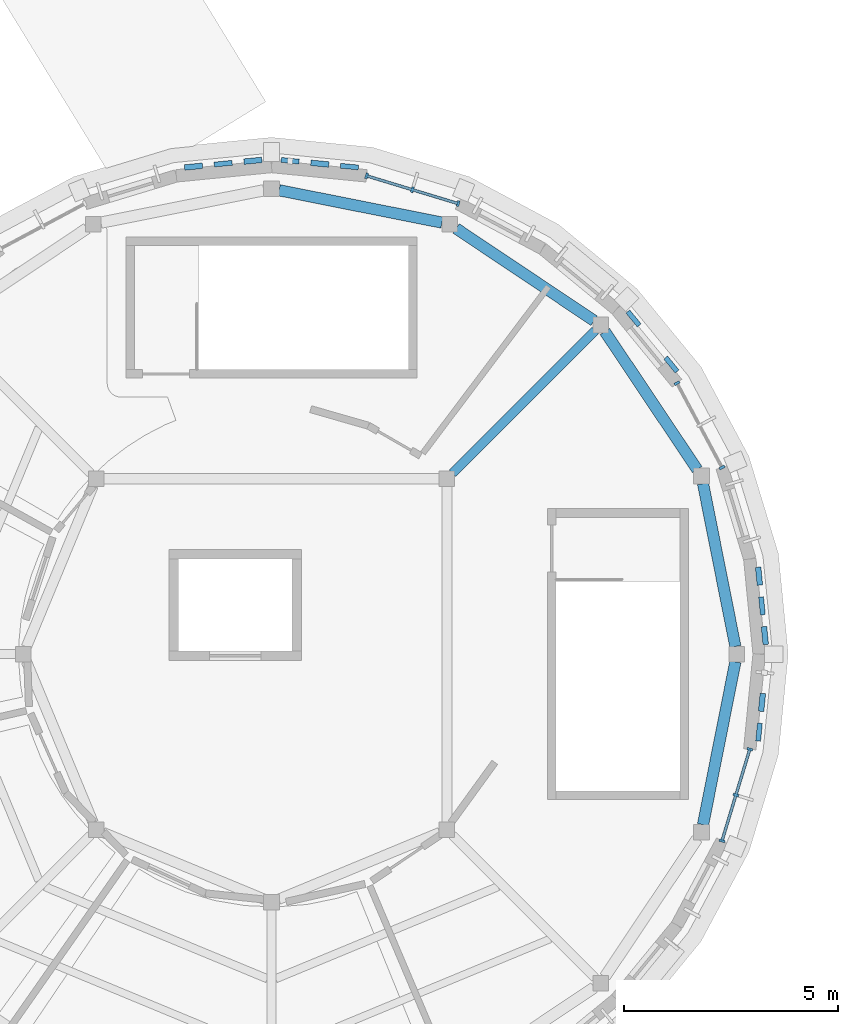
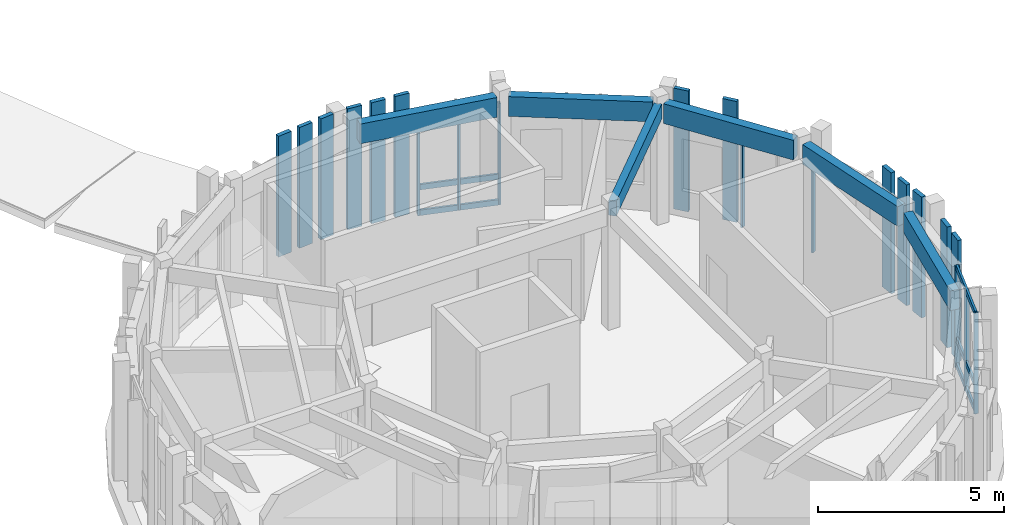
# One storey, part 17 of 58: 27 members, 6 beams, 3 elements without a shape of their own.
"""IFC4 building model written with IfcOpenShell, lengths in metres."""

from ifc_helpers import new_model, si_unit, direction, frame, origin, origin_2d, place, context, subcontext, project, spatial, rectangle, extrude, material, layer, layer_set, material_profile, profile_set, type_object, element, aggregate, save


model = new_model("IFC4")

# Units and contexts
model_context = context("Model", 3, precision=1e-05, world=origin(), true_north=direction((0.0, 1.0)))
body_context = subcontext(model_context, "Body", "Model", "MODEL_VIEW")
ifc_project = project(units=[si_unit("LENGTHUNIT", "METRE"), si_unit("AREAUNIT", "SQUARE_METRE"), si_unit("VOLUMEUNIT", "CUBIC_METRE"), si_unit("PLANEANGLEUNIT", "RADIAN"), si_unit("MASSUNIT", "GRAM", prefix="KILO")], contexts=[model_context])

# Site, building, storey
site_placement = place(None, origin())
site = spatial("IfcSite", under=ifc_project, at=site_placement, CompositionType="ELEMENT")
building_placement = place(site_placement, origin())
building = spatial("IfcBuilding", under=site, at=building_placement, Name="Aldenvaro Health Centre", CompositionType="ELEMENT")
storey_placement = place(building_placement, frame((0.0, 0.0, 8.75)))
storey = spatial("IfcBuildingStorey", under=building, at=storey_placement, Name="L02", CompositionType="ELEMENT", Elevation=8.75)

# Beams
ifc_material_1 = material(Name="Glulam GL28h", Category="wood")
ifc_material_profile_1 = material_profile(ifc_material_1, rectangle(XDim=0.215087890625, YDim=0.493896484375, at=origin_2d()), Name="GL 215x494", Category="wood")
ifc_profile_set_1 = profile_set([ifc_material_profile_1], Name="Glulam GL28h")
beam_type_1 = type_object("IfcBeamType", Name="BM-GL-494", PredefinedType="BEAM", material=ifc_profile_set_1)
beam_1_placement = place(storey_placement, frame((158.72998046875, 22.72998046875, 3.712890625), z_axis=(0.707106781187, 0.707106781187, 0.0), x_axis=(-0.707106781187, 0.707106781187, 0.0)))
element("IfcBeam", 1, at=beam_1_placement, inside=storey, type_object=beam_type_1, Name="D6 L02 radial beam 01", PredefinedType="BEAM", context=body_context, shape_type="SweptSolid", body=[
    extrude(rectangle(XDim=0.215087890625, YDim=0.493896484375, at=origin_2d()), origin(), (0.0, 0.0, 1.0), 4.715087890625),
])
ifc_material_profile_2 = material_profile(ifc_material_1, rectangle(XDim=0.264892578125, YDim=0.64599609375, at=origin_2d()), Name="GL 265x646", Category="wood")
ifc_profile_set_2 = profile_set([ifc_material_profile_2], Name="Glulam GL28h")
beam_type_2 = type_object("IfcBeamType", Name="BM-GL-646", PredefinedType="SPANDREL", material=ifc_profile_set_2)
beam_2_placement = place(storey_placement, frame((165.343994140625, 18.678955078125, 3.636962890625), z_axis=(-0.19484558566, 0.98083392975, 0.0), x_axis=(-0.98083392975, -0.19484558566, 0.0)))
element("IfcBeam", 2, at=beam_2_placement, inside=storey, type_object=beam_type_2, Name="D6 L02 perimeter spandrel 01", PredefinedType="SPANDREL", context=body_context, shape_type="SweptSolid", body=[
    extrude(rectangle(XDim=0.264892578125, YDim=0.64599609375, at=origin_2d()), origin(), (0.0, 0.0, 1.0), 3.880615234375),
])
for number, where, z_axis, x_axis, name in (
    (3, (164.450927734375, 22.81591796875, 3.636962890625), (-0.55593386509, 0.831226526072, 0.0), (-0.831226526072, -0.55593386509, 0.0), "D6 L02 perimeter spandrel 02"),
    (4, (162.041015625, 26.2939453125, 3.636962890625), (-0.831226526072, 0.55593386509, 0.0), (-0.55593386509, -0.831226526072, 0.0), "D6 L02 perimeter spandrel 03"),
):
    element("IfcBeam", number, at=place(storey_placement, frame(where, z_axis=z_axis, x_axis=x_axis)), inside=storey, type_object=beam_type_2, Name=name, PredefinedType="SPANDREL", context=body_context, shape_type="SweptSolid", body=[
        extrude(rectangle(XDim=0.264892578125, YDim=0.64599609375, at=origin_2d()), origin(), (0.0, 0.0, 1.0), 3.8798828125),
    ])
for number, where, z_axis, x_axis, name in (
    (5, (158.485107421875, 28.587890625, 3.636962890625), (-0.98083392975, 0.19484558566, 0.0), (-0.19484558566, -0.98083392975, 0.0), "D6 L02 perimeter spandrel 04"),
    (6, (164.587890625, 14.514892578125, 3.636962890625), (0.19484558566, 0.98083392975, 0.0), (-0.98083392975, 0.19484558566, 0.0), "D6 L02 perimeter spandrel 16"),
):
    element("IfcBeam", number, at=place(storey_placement, frame(where, z_axis=z_axis, x_axis=x_axis)), inside=storey, type_object=beam_type_2, Name=name, PredefinedType="SPANDREL", context=body_context, shape_type="SweptSolid", body=[
        extrude(rectangle(XDim=0.264892578125, YDim=0.64599609375, at=origin_2d()), origin(), (0.0, 0.0, 1.0), 3.880615234375),
    ])

# Curtain wall, members
ifc_material_2 = material(Name="Anodised Aluminium 6063-T6", Category="aluminium")
ifc_layer = layer(ifc_material_2, 0.195068359375, Name="Anodised Aluminium 6063-T6", Category="aluminium")
ifc_layer_set = layer_set([ifc_layer], Name="Anodised Aluminium 6063-T6")
curtain_wall_type = type_object("IfcCurtainWallType", Name="CW-CLN-02", PredefinedType="NOTDEFINED", material=ifc_layer_set)
curtain_wall_1_placement = place(storey_placement, origin())
curtain_wall_1 = element("IfcCurtainWall", 7, at=curtain_wall_1_placement, inside=storey, type_object=curtain_wall_type, Name="D6 L02 curtain wall bay 02", PredefinedType="NOTDEFINED")
ifc_material_profile_3 = material_profile(ifc_material_2, rectangle(XDim=0.06005859375, YDim=0.135009765625, at=origin_2d()), Name="ALU 60x135", Category="aluminium")
ifc_profile_set_3 = profile_set([ifc_material_profile_3], Name="Anodised Aluminium 6063-T6")
member_type_1 = type_object("IfcMemberType", Name="CWM-150", PredefinedType="MULLION", material=ifc_profile_set_3)
member_1_placement = place(storey_placement, frame((165.680908203125, 16.27587890625, 0.0), z_axis=(0.0, 0.0, 1.0), x_axis=(-0.290342622208, -0.956922756407, 0.0)))
member_1 = element("IfcMember", 8, at=member_1_placement, type_object=member_type_1, Name="D6 L02 curtain wall bay 02 mullion 1", PredefinedType="MULLION", context=body_context, shape_type="SweptSolid", body=[
    extrude(rectangle(XDim=0.06005859375, YDim=0.135009765625, at=origin_2d()), origin(), (0.0, 0.0, 1.0), 3.31396484375),
])
member_2_placement = place(storey_placement, frame((165.35693359375, 15.20703125, 0.0), z_axis=(0.0, 0.0, 1.0), x_axis=(-0.290342622208, -0.956922756407, 0.0)))
member_2 = element("IfcMember", 9, at=member_2_placement, type_object=member_type_1, Name="D6 L02 curtain wall bay 02 mullion 2", PredefinedType="MULLION", context=body_context, shape_type="SweptSolid", body=[
    extrude(rectangle(XDim=0.06005859375, YDim=0.135009765625, at=origin_2d()), origin(), (0.0, 0.0, 1.0), 3.31396484375),
])
member_3_placement = place(storey_placement, frame((165.031982421875, 14.136962890625, 0.0), z_axis=(0.0, 0.0, 1.0), x_axis=(-0.290342622208, -0.956922756407, 0.0)))
member_3 = element("IfcMember", 10, at=member_3_placement, type_object=member_type_1, Name="D6 L02 curtain wall bay 02 mullion 3", PredefinedType="MULLION", context=body_context, shape_type="SweptSolid", body=[
    extrude(rectangle(XDim=0.06005859375, YDim=0.135009765625, at=origin_2d()), origin(), (0.0, 0.0, 1.0), 3.31396484375),
])

curtain_wall_2_placement = place(storey_placement, origin())
curtain_wall_2 = element("IfcCurtainWall", 11, at=curtain_wall_2_placement, inside=storey, type_object=curtain_wall_type, Name="D6 L02 curtain wall bay 26", PredefinedType="NOTDEFINED")
member_4_placement = place(storey_placement, frame((156.72412109375, 29.680908203125, 0.0), z_axis=(0.0, 0.0, 1.0), x_axis=(0.956922756407, -0.290342622208, 0.0)))
member_4 = element("IfcMember", 12, at=member_4_placement, type_object=member_type_1, Name="D6 L02 curtain wall bay 26 mullion 1", PredefinedType="MULLION", context=body_context, shape_type="SweptSolid", body=[
    extrude(rectangle(XDim=0.06005859375, YDim=0.135009765625, at=origin_2d()), origin(), (0.0, 0.0, 1.0), 3.31396484375),
])
member_5_placement = place(storey_placement, frame((157.79296875, 29.35693359375, 0.0), z_axis=(0.0, 0.0, 1.0), x_axis=(0.956922756407, -0.290342622208, 0.0)))
member_5 = element("IfcMember", 13, at=member_5_placement, type_object=member_type_1, Name="D6 L02 curtain wall bay 26 mullion 2", PredefinedType="MULLION", context=body_context, shape_type="SweptSolid", body=[
    extrude(rectangle(XDim=0.06005859375, YDim=0.135009765625, at=origin_2d()), origin(), (0.0, 0.0, 1.0), 3.31396484375),
])
member_6_placement = place(storey_placement, frame((158.863037109375, 29.031982421875, 0.0), z_axis=(0.0, 0.0, 1.0), x_axis=(0.956922756407, -0.290342622208, 0.0)))
member_6 = element("IfcMember", 14, at=member_6_placement, type_object=member_type_1, Name="D6 L02 curtain wall bay 26 mullion 3", PredefinedType="MULLION", context=body_context, shape_type="SweptSolid", body=[
    extrude(rectangle(XDim=0.06005859375, YDim=0.135009765625, at=origin_2d()), origin(), (0.0, 0.0, 1.0), 3.31396484375),
])

curtain_wall_3_placement = place(storey_placement, origin())
curtain_wall_3 = element("IfcCurtainWall", 15, at=curtain_wall_3_placement, inside=storey, type_object=curtain_wall_type, Name="D6 L02 curtain wall bay 30", PredefinedType="NOTDEFINED")
member_7_placement = place(storey_placement, frame((163.97900390625, 24.833984375, 0.0), z_axis=(0.0, 0.0, 1.0), x_axis=(0.471215232797, -0.882018256263, 0.0)))
member_7 = element("IfcMember", 16, at=member_7_placement, type_object=member_type_1, Name="D6 L02 curtain wall bay 30 mullion 1", PredefinedType="MULLION", context=body_context, shape_type="SweptSolid", body=[
    extrude(rectangle(XDim=0.06005859375, YDim=0.135009765625, at=origin_2d()), origin(), (0.0, 0.0, 1.0), 3.31396484375),
])
member_8_placement = place(storey_placement, frame((165.031982421875, 22.863037109375, 0.0), z_axis=(0.0, 0.0, 1.0), x_axis=(0.471215232797, -0.882018256263, 0.0)))
member_8 = element("IfcMember", 17, at=member_8_placement, type_object=member_type_1, Name="D6 L02 curtain wall bay 30 mullion 3", PredefinedType="MULLION", context=body_context, shape_type="SweptSolid", body=[
    extrude(rectangle(XDim=0.06005859375, YDim=0.135009765625, at=origin_2d()), origin(), (0.0, 0.0, 1.0), 3.31396484375),
])
aggregate(curtain_wall_3, [member_7, member_8])

# Member
ifc_material_profile_4 = material_profile(ifc_material_2, rectangle(XDim=0.06494140625, YDim=0.179931640625, at=origin_2d()), Name="ALU 65x180", Category="aluminium")
ifc_profile_set_4 = profile_set([ifc_material_profile_4], Name="Anodised Aluminium 6063-T6")
member_type_2 = type_object("IfcMemberType", Name="CWT-150", PredefinedType="USERDEFINED", material=ifc_profile_set_4)
member_9_placement = place(storey_placement, frame((165.680908203125, 16.27587890625, 0.06005859375), z_axis=(-0.290322655883, -0.956928814218, 0.0), x_axis=(0.956928814218, -0.290322655883, 0.0)))
member_9 = element("IfcMember", 18, at=member_9_placement, type_object=member_type_2, Name="D6 L02 curtain wall bay 02 transom 1", ObjectType="TRANSOM", PredefinedType="USERDEFINED", context=body_context, shape_type="SweptSolid", body=[
    extrude(rectangle(XDim=0.06494140625, YDim=0.179931640625, at=origin_2d()), origin(), (0.0, 0.0, 1.0), 2.235107421875),
])

member_10_placement = place(storey_placement, frame((165.680908203125, 16.27587890625, 0.89990234375), z_axis=(-0.290322655883, -0.956928814218, 0.0), x_axis=(0.956928814218, -0.290322655883, 0.0)))
member_10 = element("IfcMember", 19, at=member_10_placement, type_object=member_type_2, Name="D6 L02 curtain wall bay 02 transom 2", ObjectType="TRANSOM", PredefinedType="USERDEFINED", context=body_context, shape_type="SweptSolid", body=[
    extrude(rectangle(XDim=0.06494140625, YDim=0.179931640625, at=origin_2d()), origin(), (0.0, 0.0, 1.0), 2.235107421875),
])

member_11_placement = place(storey_placement, frame((165.680908203125, 16.27587890625, 3.25390625), z_axis=(-0.290322655883, -0.956928814218, 0.0), x_axis=(0.956928814218, -0.290322655883, 0.0)))
member_11 = element("IfcMember", 20, at=member_11_placement, type_object=member_type_2, Name="D6 L02 curtain wall bay 02 transom 3", ObjectType="TRANSOM", PredefinedType="USERDEFINED", context=body_context, shape_type="SweptSolid", body=[
    extrude(rectangle(XDim=0.06494140625, YDim=0.179931640625, at=origin_2d()), origin(), (0.0, 0.0, 1.0), 2.235107421875),
])

aggregate(curtain_wall_1, [member_1, member_2, member_3, member_9, member_10, member_11])

member_12_placement = place(storey_placement, frame((156.72412109375, 29.680908203125, 0.06005859375), z_axis=(0.956928814218, -0.290322655883, 0.0), x_axis=(0.290322655883, 0.956928814218, 0.0)))
member_12 = element("IfcMember", 21, at=member_12_placement, type_object=member_type_2, Name="D6 L02 curtain wall bay 26 transom 1", ObjectType="TRANSOM", PredefinedType="USERDEFINED", context=body_context, shape_type="SweptSolid", body=[
    extrude(rectangle(XDim=0.06494140625, YDim=0.179931640625, at=origin_2d()), origin(), (0.0, 0.0, 1.0), 2.235107421875),
])

member_13_placement = place(storey_placement, frame((156.72412109375, 29.680908203125, 0.89990234375), z_axis=(0.956928814218, -0.290322655883, 0.0), x_axis=(0.290322655883, 0.956928814218, 0.0)))
member_13 = element("IfcMember", 22, at=member_13_placement, type_object=member_type_2, Name="D6 L02 curtain wall bay 26 transom 2", ObjectType="TRANSOM", PredefinedType="USERDEFINED", context=body_context, shape_type="SweptSolid", body=[
    extrude(rectangle(XDim=0.06494140625, YDim=0.179931640625, at=origin_2d()), origin(), (0.0, 0.0, 1.0), 2.235107421875),
])

member_14_placement = place(storey_placement, frame((156.72412109375, 29.680908203125, 3.25390625), z_axis=(0.956928814218, -0.290322655883, 0.0), x_axis=(0.290322655883, 0.956928814218, 0.0)))
member_14 = element("IfcMember", 23, at=member_14_placement, type_object=member_type_2, Name="D6 L02 curtain wall bay 26 transom 3", ObjectType="TRANSOM", PredefinedType="USERDEFINED", context=body_context, shape_type="SweptSolid", body=[
    extrude(rectangle(XDim=0.06494140625, YDim=0.179931640625, at=origin_2d()), origin(), (0.0, 0.0, 1.0), 2.235107421875),
])

aggregate(curtain_wall_2, [member_4, member_5, member_6, member_12, member_13, member_14])

# Members
ifc_material_profile_5 = material_profile(ifc_material_1, rectangle(XDim=0.114990234375, YDim=0.419921875, at=origin_2d()), Name="GL 115x420", Category="wood")
ifc_profile_set_5 = profile_set([ifc_material_profile_5], Name="Glulam GL28h")
member_type_3 = type_object("IfcMemberType", Name="MEM-SLT-420A", PredefinedType="POST", material=ifc_profile_set_5)
for number, where, z_axis, x_axis, name in (
    (24, (165.89599609375, 16.677001953125, 0.0), (0.0, 0.0, 1.0), (0.995186685493, -0.097997250052, 0.0), "D6 L02 vertical timber slat 1.3"),
    (25, (153.37109375, 29.965087890625, 0.0), (0.0, 0.0, 1.0), (-0.097997250052, 0.995186685493, 0.0), "D6 L02 vertical timber slat 24.2"),
    (26, (154.93505859375, 30.032958984375, 0.0), (0.0, 0.0, 1.0), (0.097997250052, 0.995186685493, 0.0), "D6 L02 vertical timber slat 25.1"),
    (27, (156.322998046875, 29.89599609375, 0.0), (0.0, 0.0, 1.0), (0.097997250052, 0.995186685493, 0.0), "D6 L02 vertical timber slat 25.3"),
    (28, (162.962890625, 26.346923828125, 0.0), (0.0, 0.0, 1.0), (0.772859503767, 0.634577172169, 0.0), "D6 L02 vertical timber slat 29.1"),
    (29, (163.847900390625, 25.27001953125, 0.0), (0.0, 0.0, 1.0), (0.772859503767, 0.634577172169, 0.0), "D6 L02 vertical timber slat 29.3"),
    (30, (165.965087890625, 19.62890625, 0.0), (0.0, 0.0, 1.0), (0.995186685493, 0.097997250052, 0.0), "D6 L02 vertical timber slat 32.2"),
):
    element("IfcMember", number, at=place(storey_placement, frame(where, z_axis=z_axis, x_axis=x_axis)), inside=storey, type_object=member_type_3, Name=name, PredefinedType="POST", context=body_context, shape_type="SweptSolid", body=[
        extrude(rectangle(XDim=0.114990234375, YDim=0.419921875, at=origin_2d()), origin(), (0.0, 0.0, 1.0), 3.9599609375),
    ])
ifc_material_profile_6 = material_profile(ifc_material_1, rectangle(XDim=0.1298828125, YDim=0.419921875, at=origin_2d()), Name="GL 130x420", Category="wood")
ifc_profile_set_6 = profile_set([ifc_material_profile_6], Name="Glulam GL28h")
member_type_4 = type_object("IfcMemberType", Name="MEM-SLT-420B", PredefinedType="POST", material=ifc_profile_set_6)
for number, where, z_axis, x_axis, name in (
    (31, (165.965087890625, 17.37109375, 0.0), (0.0, 0.0, 1.0), (0.995186685493, -0.097997250052, 0.0), "D6 L02 vertical timber slat 1.2"),
    (32, (152.677001953125, 29.89599609375, 0.0), (0.0, 0.0, 1.0), (-0.097997250052, 0.995186685493, 0.0), "D6 L02 vertical timber slat 24.1"),
    (33, (154.06494140625, 30.032958984375, 0.0), (0.0, 0.0, 1.0), (-0.097997250052, 0.995186685493, 0.0), "D6 L02 vertical timber slat 24.3"),
    (34, (155.62890625, 29.965087890625, 0.0), (0.0, 0.0, 1.0), (0.097997250052, 0.995186685493, 0.0), "D6 L02 vertical timber slat 25.2"),
    (35, (165.89599609375, 20.322998046875, 0.0), (0.0, 0.0, 1.0), (0.995186685493, 0.097997250052, 0.0), "D6 L02 vertical timber slat 32.1"),
    (36, (166.032958984375, 18.93505859375, 0.0), (0.0, 0.0, 1.0), (0.995186685493, 0.097997250052, 0.0), "D6 L02 vertical timber slat 32.3"),
):
    element("IfcMember", number, at=place(storey_placement, frame(where, z_axis=z_axis, x_axis=x_axis)), inside=storey, type_object=member_type_4, Name=name, PredefinedType="POST", context=body_context, shape_type="SweptSolid", body=[
        extrude(rectangle(XDim=0.1298828125, YDim=0.419921875, at=origin_2d()), origin(), (0.0, 0.0, 1.0), 3.9599609375),
    ])

save(model, "model.ifc")
